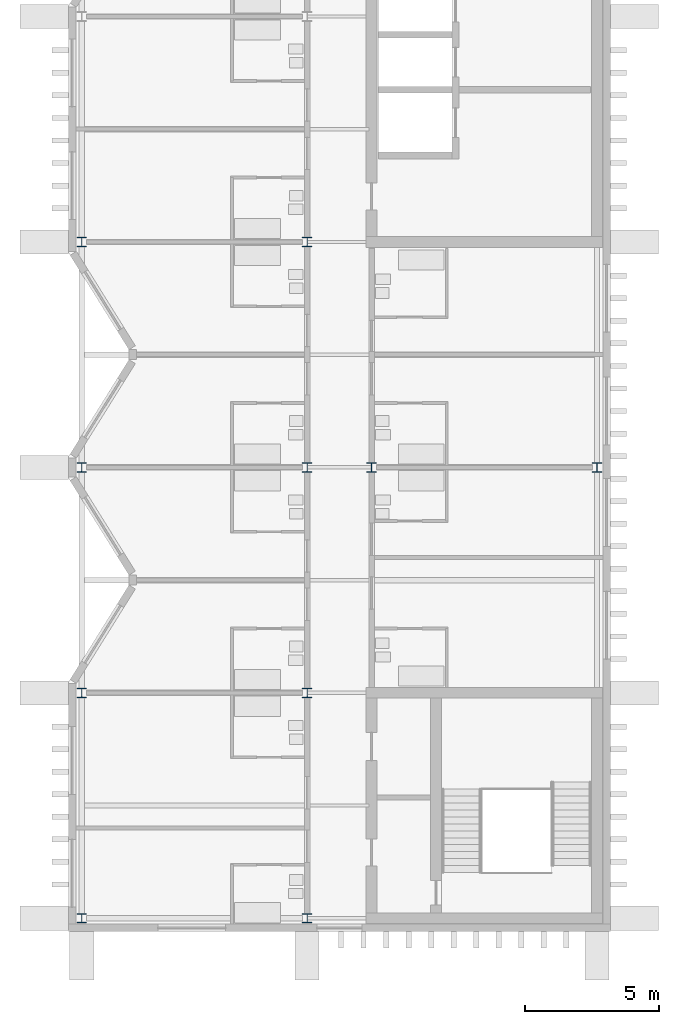
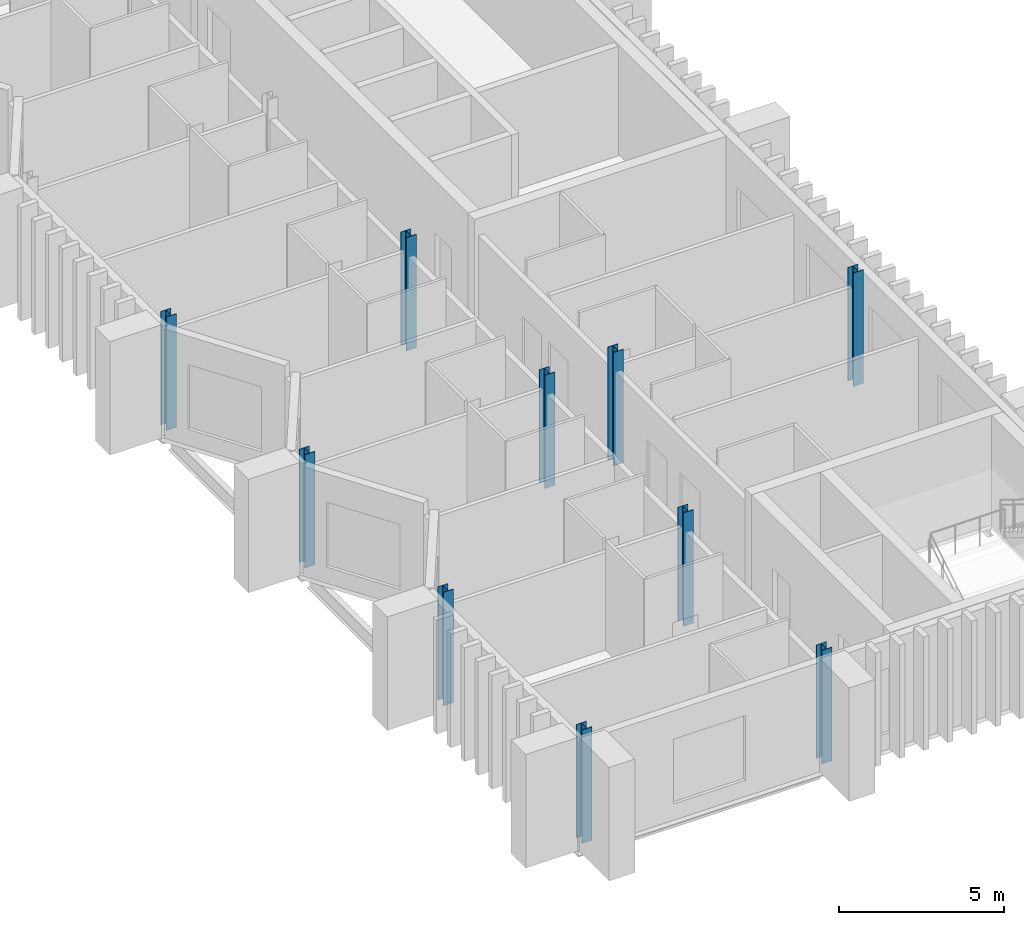
# One storey, part 1 of 11: 10 columns.
"""IFC4 building model written with IfcOpenShell, lengths in metres."""

from ifc_helpers import new_model, si_unit, direction, frame, origin, origin_2d, place, context, subcontext, project, spatial, i_section, extrude, material, material_profile, profile_set, type_object, element, save


model = new_model("IFC4")

# Units and contexts
model_context = context("Model", 3, precision=1e-05, world=origin(), true_north=direction((0.0, 1.0)))
body_context = subcontext(model_context, "Body", "Model", "MODEL_VIEW")
ifc_project = project(units=[si_unit("LENGTHUNIT", "METRE"), si_unit("AREAUNIT", "SQUARE_METRE"), si_unit("VOLUMEUNIT", "CUBIC_METRE"), si_unit("PLANEANGLEUNIT", "RADIAN"), si_unit("MASSUNIT", "GRAM", prefix="KILO")], contexts=[model_context])

# Site, building, storey
site_placement = place(None, origin())
site = spatial("IfcSite", under=ifc_project, at=site_placement, CompositionType="ELEMENT")
building_placement = place(site_placement, origin())
building = spatial("IfcBuilding", under=site, at=building_placement, Name="Cresset Court Congress Hotel", CompositionType="ELEMENT")
storey_placement = place(building_placement, frame((0.0, 0.0, 43.800048828125)))
storey = spatial("IfcBuildingStorey", under=building, at=storey_placement, Name="L10", CompositionType="ELEMENT", Elevation=43.800048828125)

# Columns
ifc_material = material(Name="Structural steel Q355B", Category="steel")
ifc_material_profile = material_profile(ifc_material, i_section(OverallWidth=0.35009765625, OverallDepth=0.35009765625, WebThickness=0.011962890625, FlangeThickness=0.01904296875, FilletRadius=0.012939453125, at=origin_2d()), Name="HW350x350x12x19")
ifc_profile_set = profile_set([ifc_material_profile], Name="Structural steel Q355B")
column_type = type_object("IfcColumnType", Name="Steel column HW350x350x12x19", PredefinedType="COLUMN", material=ifc_profile_set)
for number, where, z_axis, x_axis, name in (
    (1, (157.199951171875, 0.0, 0.0), (0.0, 0.0, 1.0), (1.0, 0.0, 0.0), "Column L10 1-20"),
    (2, (157.199951171875, 8.39990234375, 0.0), (0.0, 0.0, 1.0), (1.0, 0.0, 0.0), "Column L10 2-20"),
    (3, (157.199951171875, 16.800048828125, 0.0), (0.0, 0.0, 1.0), (1.0, 0.0, 0.0), "Column L10 3-20"),
    (4, (157.199951171875, 25.199951171875, 0.0), (0.0, 0.0, 1.0), (1.0, 0.0, 0.0), "Column L10 4-20"),
    (5, (165.60009765625, 0.0, 0.0), (0.0, 0.0, 1.0), (1.0, 0.0, 0.0), "Column L10 1-21"),
    (6, (165.60009765625, 8.39990234375, 0.0), (0.0, 0.0, 1.0), (1.0, 0.0, 0.0), "Column L10 2-21"),
    (7, (165.60009765625, 16.800048828125, 0.0), (0.0, 0.0, 1.0), (1.0, 0.0, 0.0), "Column L10 3-21"),
    (8, (165.60009765625, 25.199951171875, 0.0), (0.0, 0.0, 1.0), (1.0, 0.0, 0.0), "Column L10 4-21"),
    (9, (168.0, 16.800048828125, 0.0), (0.0, 0.0, 1.0), (1.0, 0.0, 0.0), "Column L10 3-22"),
    (10, (176.39990234375, 16.800048828125, 0.0), (0.0, 0.0, 1.0), (1.0, 0.0, 0.0), "Column L10 3-23"),
):
    element("IfcColumn", number, at=place(storey_placement, frame(where, z_axis=z_axis, x_axis=x_axis)), inside=storey, type_object=column_type, Name=name, PredefinedType="COLUMN", context=body_context, shape_type="SweptSolid", body=[
        extrude(i_section(OverallWidth=0.35009765625, OverallDepth=0.35009765625, WebThickness=0.011962890625, FlangeThickness=0.01904296875, FilletRadius=0.012939453125, at=origin_2d()), origin(), (0.0, 0.0, 1.0), 4.199951171875),
    ])

save(model, "model.ifc")
